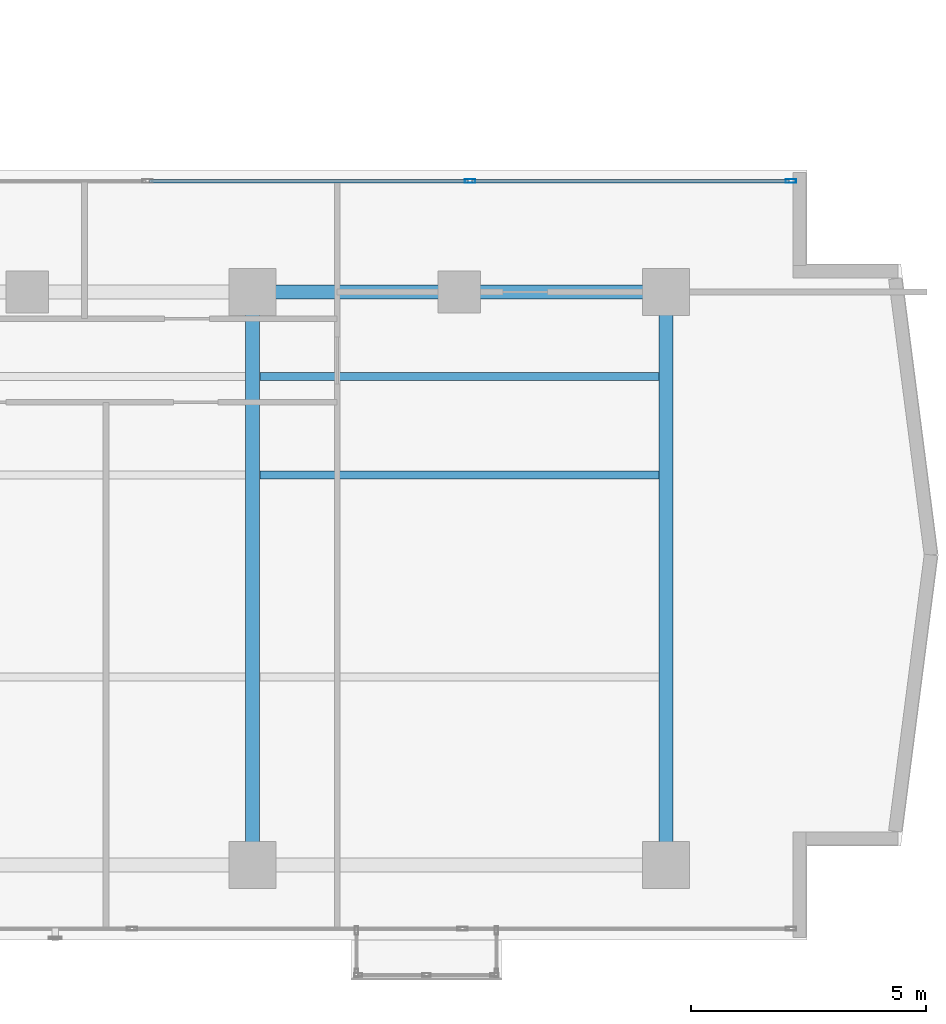
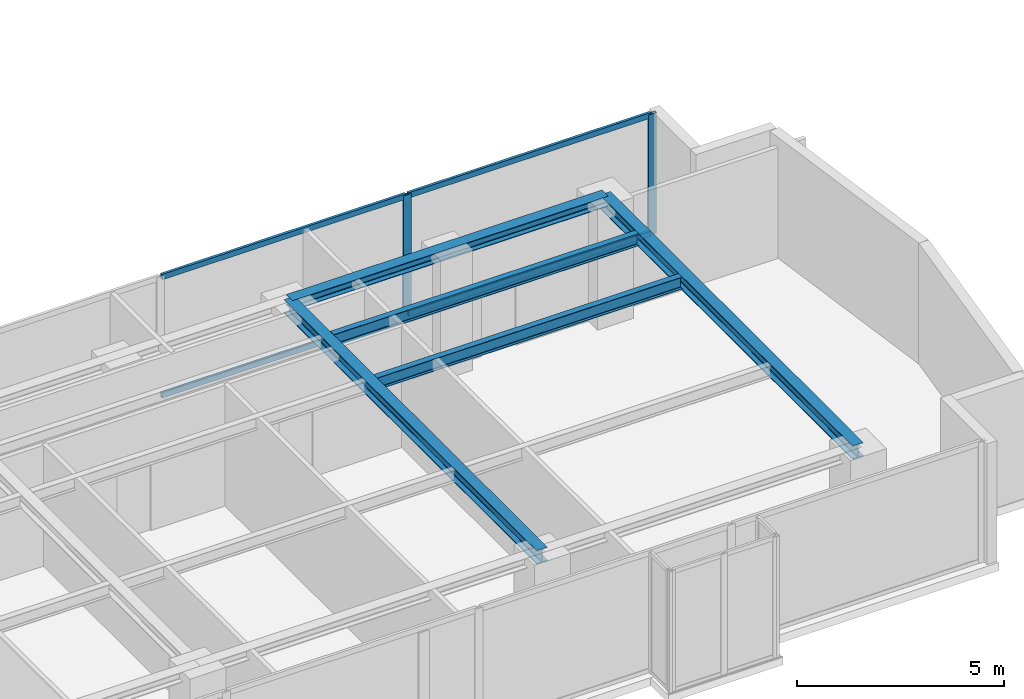
# One storey, part 11 of 23: 6 members, 5 beams, 1 element without a shape of its own.
"""IFC4 building model written with IfcOpenShell, lengths in metres."""

from ifc_helpers import new_model, si_unit, direction, frame, origin, origin_with_axes, origin_2d, place, context, subcontext, project, spatial, hollow_rectangle, i_section, extrude, source, transform, mapped, material, layer, layer_set, material_profile, profile_set, type_object, element, aggregate, save


model = new_model("IFC4")

# Units and contexts
model_context = context("Model", 3, precision=1e-05, world=origin(), true_north=direction((0.0, 1.0)))
body_context = subcontext(model_context, "Body", "Model", "MODEL_VIEW")
ifc_project = project(units=[si_unit("LENGTHUNIT", "METRE"), si_unit("AREAUNIT", "SQUARE_METRE"), si_unit("VOLUMEUNIT", "CUBIC_METRE"), si_unit("PLANEANGLEUNIT", "RADIAN"), si_unit("MASSUNIT", "GRAM", prefix="KILO")], contexts=[model_context])

# Site, building, storey
site_placement = place(None, origin())
site = spatial("IfcSite", under=ifc_project, at=site_placement, CompositionType="ELEMENT")
building_placement = place(site_placement, origin())
building = spatial("IfcBuilding", under=site, at=building_placement, Name="Kolvaren Waterfront Exchange", CompositionType="ELEMENT")
storey_placement = place(building_placement, frame((0.0, 0.0, 212.10009765625)))
storey = spatial("IfcBuildingStorey", under=building, at=storey_placement, Name="L54", CompositionType="ELEMENT", Elevation=212.10009765625)

# Beams
ifc_material_1 = material(Name="Steel S355", Category="steel")
ifc_material_profile_1 = material_profile(ifc_material_1, i_section(OverallWidth=0.300048828125, OverallDepth=0.300048828125, WebThickness=0.010986328125, FlangeThickness=0.01904296875, FilletRadius=0.027099609375, at=origin_2d()), Name="HEB300")
ifc_profile_set_1 = profile_set([ifc_material_profile_1], Name="Steel S355")
beam_type_1 = type_object("IfcBeamType", Name="STR-BM-HEB300", PredefinedType="SPANDREL", material=ifc_profile_set_1)
beam_placement = place(storey_placement, frame((36.800048828125, 17.39990234375, 3.409912109375), z_axis=(1.0, 0.0, 0.0), x_axis=(0.0, 1.0, 0.0)))
element("IfcBeam", 1, at=beam_placement, inside=storey, type_object=beam_type_1, Name="L54 east-arm spandrel N3", PredefinedType="SPANDREL", context=body_context, shape_type="SweptSolid", body=[
    extrude(i_section(OverallWidth=0.300048828125, OverallDepth=0.300048828125, WebThickness=0.010986328125, FlangeThickness=0.01904296875, FilletRadius=0.027099609375, at=origin_2d()), origin(), (0.0, 0.0, 1.0), 8.800048828125),
])
ifc_material_profile_2 = material_profile(ifc_material_1, i_section(OverallWidth=0.300048828125, OverallDepth=0.39990234375, WebThickness=0.013427734375, FlangeThickness=0.02392578125, FilletRadius=0.027099609375, at=origin_2d()), Name="HEB400")
ifc_profile_set_2 = profile_set([ifc_material_profile_2], Name="Steel S355")
beam_type_2 = type_object("IfcBeamType", Name="STR-BM-HEB400", PredefinedType="BEAM", material=ifc_profile_set_2)
for number, where, z_axis, x_axis, name in (
    (2, (36.800048828125, 5.199951171875, 3.35986328125), (0.0, 1.0, 0.0), (-1.0, 0.0, 0.0), "L54 east-arm transverse girder X36"),
    (3, (45.60009765625, 5.199951171875, 3.35986328125), (0.0, 1.0, 0.0), (-1.0, 0.0, 0.0), "L54 east-arm transverse girder X45"),
):
    element("IfcBeam", number, at=place(storey_placement, frame(where, z_axis=z_axis, x_axis=x_axis)), inside=storey, type_object=beam_type_2, Name=name, PredefinedType="BEAM", context=body_context, shape_type="SweptSolid", body=[
        extrude(i_section(OverallWidth=0.300048828125, OverallDepth=0.39990234375, WebThickness=0.013427734375, FlangeThickness=0.02392578125, FilletRadius=0.027099609375, at=origin_2d()), origin(), (0.0, 0.0, 1.0), 12.199951171875),
    ])
ifc_material_profile_3 = material_profile(ifc_material_1, i_section(OverallWidth=0.169921875, OverallDepth=0.360107421875, WebThickness=0.008056640625, FlangeThickness=0.0126953125, FilletRadius=0.01806640625, at=origin_2d()), Name="IPE360")
ifc_profile_set_3 = profile_set([ifc_material_profile_3], Name="Steel S355")
beam_type_3 = type_object("IfcBeamType", Name="STR-BM-IPE360", PredefinedType="JOIST", material=ifc_profile_set_3)
for number, where, z_axis, x_axis, name in (
    (4, (36.951904296875, 13.5, 3.3798828125), (1.0, 0.0, 0.0), (0.0, 1.0, 0.0), "L54 east-arm composite joist 3A"),
    (5, (36.951904296875, 15.60009765625, 3.3798828125), (1.0, 0.0, 0.0), (0.0, 1.0, 0.0), "L54 east-arm composite joist 3C"),
):
    element("IfcBeam", number, at=place(storey_placement, frame(where, z_axis=z_axis, x_axis=x_axis)), inside=storey, type_object=beam_type_3, Name=name, PredefinedType="JOIST", context=body_context, shape_type="SweptSolid", body=[
        extrude(i_section(OverallWidth=0.169921875, OverallDepth=0.360107421875, WebThickness=0.008056640625, FlangeThickness=0.0126953125, FilletRadius=0.01806640625, at=origin_2d()), origin(), (0.0, 0.0, 1.0), 8.49609375),
    ])

# Curtain wall, members
ifc_material_2 = material(Name="Anodised bronze aluminium 6063-T6", Category="aluminium")
ifc_layer = layer(ifc_material_2, 0.219970703125, Name="Anodised bronze aluminium 6063-T6")
ifc_layer_set = layer_set([ifc_layer], Name="Anodised bronze aluminium 6063-T6")
curtain_wall_type = type_object("IfcCurtainWallType", Name="ARC-CW-SYS1", PredefinedType="USERDEFINED", material=ifc_layer_set)
curtain_wall_placement = place(storey_placement, origin())
curtain_wall = element("IfcCurtainWall", 6, at=curtain_wall_placement, inside=storey, type_object=curtain_wall_type, Name="L54 stick curtain wall CW1 (CW-L54-EN)", ObjectType="STICK CURTAIN WALL", PredefinedType="USERDEFINED")
ifc_material_3 = material(Name="Anodised aluminium 6063-T6", Category="aluminium")
ifc_material_profile_4 = material_profile(ifc_material_3, hollow_rectangle(XDim=0.080078125, YDim=0.219970703125, WallThickness=0.0048828125, at=origin_2d()), Name="ALU-MUL-220x80x5")
ifc_profile_set_4 = profile_set([ifc_material_profile_4], Name="Anodised aluminium 6063-T6")
member_type_1 = type_object("IfcMemberType", Name="ARC-CWM-220", PredefinedType="MULLION", material=ifc_profile_set_4)
shared_shape_1 = source(origin_with_axes(), body_context, "Body", "SweptSolid", [
    extrude(hollow_rectangle(XDim=0.080078125, YDim=0.219970703125, WallThickness=0.0048828125, at=origin_2d()), origin(), (0.0, 0.0, 1.0), 3.559814453125),
])
member_1_placement = place(storey_placement, frame((41.429931640625, 19.760009765625, 0.0), z_axis=(0.0, 0.0, 1.0), x_axis=(0.0, 1.0, 0.0)))
member_1 = element("IfcMember", 7, at=member_1_placement, type_object=member_type_1, Name="CW1 mullion 3", PredefinedType="MULLION", context=body_context, shape_type="MappedRepresentation", body=[
    mapped(shared_shape_1, transform((0.0, 0.0, 0.0), x_axis=(1.0, 0.0, 0.0), y_axis=(0.0, 1.0, 0.0), z_axis=(0.0, 0.0, 1.0), scale=1.0)),
])
member_2_placement = place(storey_placement, frame((48.260009765625, 19.760009765625, 0.0), z_axis=(0.0, 0.0, 1.0), x_axis=(0.0, 1.0, 0.0)))
member_2 = element("IfcMember", 8, at=member_2_placement, type_object=member_type_1, Name="CW1 mullion 4", PredefinedType="MULLION", context=body_context, shape_type="MappedRepresentation", body=[
    mapped(shared_shape_1, transform((0.0, 0.0, 0.0), x_axis=(1.0, 0.0, 0.0), y_axis=(0.0, 1.0, 0.0), z_axis=(0.0, 0.0, 1.0), scale=1.0)),
])
ifc_material_profile_5 = material_profile(ifc_material_3, hollow_rectangle(XDim=0.074951171875, YDim=0.159912109375, WallThickness=0.00439453125, at=origin_2d()), Name="ALU-TRN-160x75x4.5")
ifc_profile_set_5 = profile_set([ifc_material_profile_5], Name="Anodised aluminium 6063-T6")
member_type_2 = type_object("IfcMemberType", Name="ARC-CWT-160", PredefinedType="USERDEFINED", material=ifc_profile_set_5)
shared_shape_2 = source(origin_with_axes(), body_context, "Body", "SweptSolid", [
    extrude(hollow_rectangle(XDim=0.074951171875, YDim=0.159912109375, WallThickness=0.00439453125, at=origin_2d()), origin(), (0.0, 0.0, 1.0), 6.75),
])
member_3_placement = place(storey_placement, frame((41.469970703125, 19.760009765625, 0.037353515625), z_axis=(1.0, 0.0, 0.0), x_axis=(0.0, 1.0, 0.0)))
member_3 = element("IfcMember", 9, at=member_3_placement, type_object=member_type_2, Name="CW1 transom 3.1", ObjectType="TRANSOM", PredefinedType="USERDEFINED", context=body_context, shape_type="MappedRepresentation", body=[
    mapped(shared_shape_2, transform((0.0, 0.0, 0.0), x_axis=(1.0, 0.0, 0.0), y_axis=(0.0, 1.0, 0.0), z_axis=(0.0, 0.0, 1.0), scale=1.0)),
])
member_4_placement = place(storey_placement, frame((41.469970703125, 19.760009765625, 3.5224609375), z_axis=(1.0, 0.0, 0.0), x_axis=(0.0, 1.0, 0.0)))
member_4 = element("IfcMember", 10, at=member_4_placement, type_object=member_type_2, Name="CW1 transom 3.2", ObjectType="TRANSOM", PredefinedType="USERDEFINED", context=body_context, shape_type="MappedRepresentation", body=[
    mapped(shared_shape_2, transform((0.0, 0.0, 0.0), x_axis=(1.0, 0.0, 0.0), y_axis=(0.0, 1.0, 0.0), z_axis=(0.0, 0.0, 1.0), scale=1.0)),
])
shared_shape_3 = source(origin_with_axes(), body_context, "Body", "SweptSolid", [
    extrude(hollow_rectangle(XDim=0.074951171875, YDim=0.159912109375, WallThickness=0.00439453125, at=origin_2d()), origin(), (0.0, 0.0, 1.0), 6.789794921875),
])
member_5_placement = place(storey_placement, frame((34.60009765625, 19.760009765625, 0.037353515625), z_axis=(1.0, 0.0, 0.0), x_axis=(0.0, 1.0, 0.0)))
member_5 = element("IfcMember", 11, at=member_5_placement, type_object=member_type_2, Name="CW1 transom 2.1", ObjectType="TRANSOM", PredefinedType="USERDEFINED", context=body_context, shape_type="MappedRepresentation", body=[
    mapped(shared_shape_3, transform((0.0, 0.0, 0.0), x_axis=(1.0, 0.0, 0.0), y_axis=(0.0, 1.0, 0.0), z_axis=(0.0, 0.0, 1.0), scale=1.0)),
])
member_6_placement = place(storey_placement, frame((34.60009765625, 19.760009765625, 3.5224609375), z_axis=(1.0, 0.0, 0.0), x_axis=(0.0, 1.0, 0.0)))
member_6 = element("IfcMember", 12, at=member_6_placement, type_object=member_type_2, Name="CW1 transom 2.2", ObjectType="TRANSOM", PredefinedType="USERDEFINED", context=body_context, shape_type="MappedRepresentation", body=[
    mapped(shared_shape_3, transform((0.0, 0.0, 0.0), x_axis=(1.0, 0.0, 0.0), y_axis=(0.0, 1.0, 0.0), z_axis=(0.0, 0.0, 1.0), scale=1.0)),
])
aggregate(curtain_wall, [member_1, member_2, member_5, member_6, member_3, member_4])

save(model, "model.ifc")
